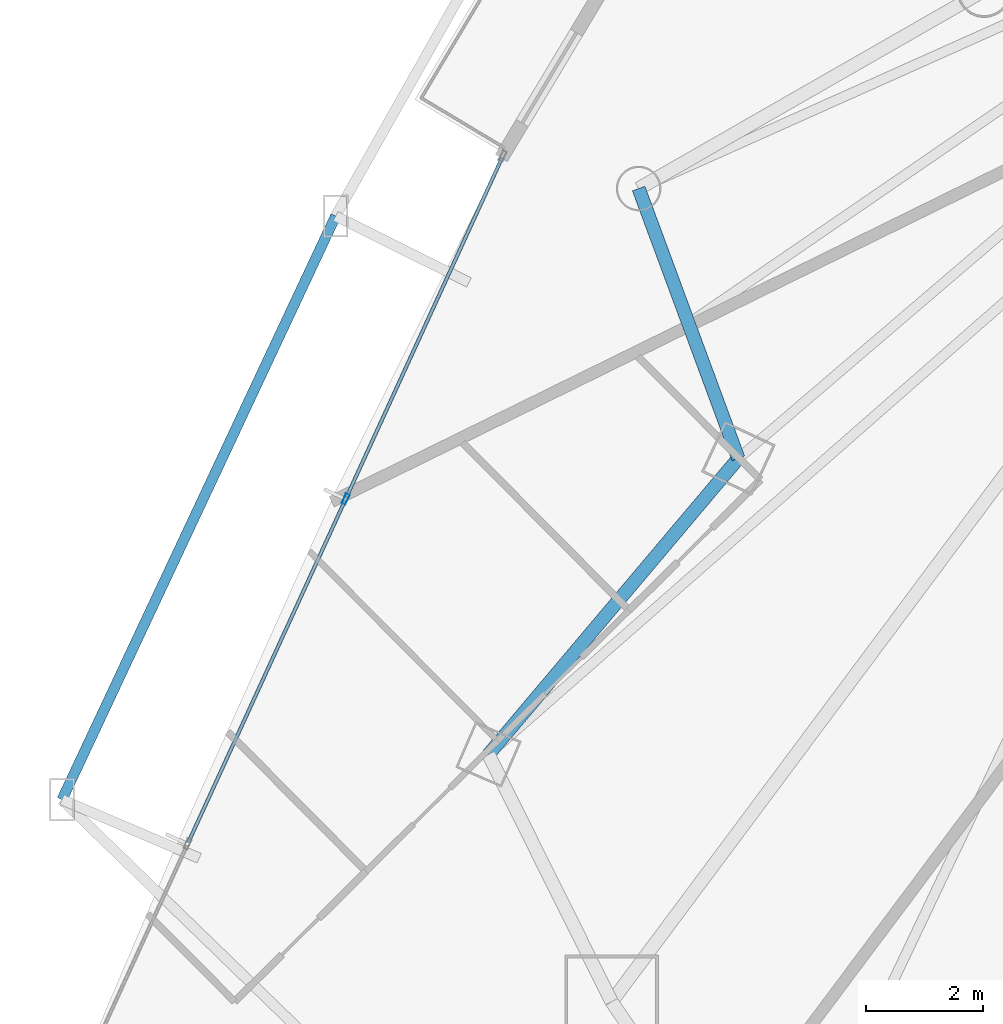
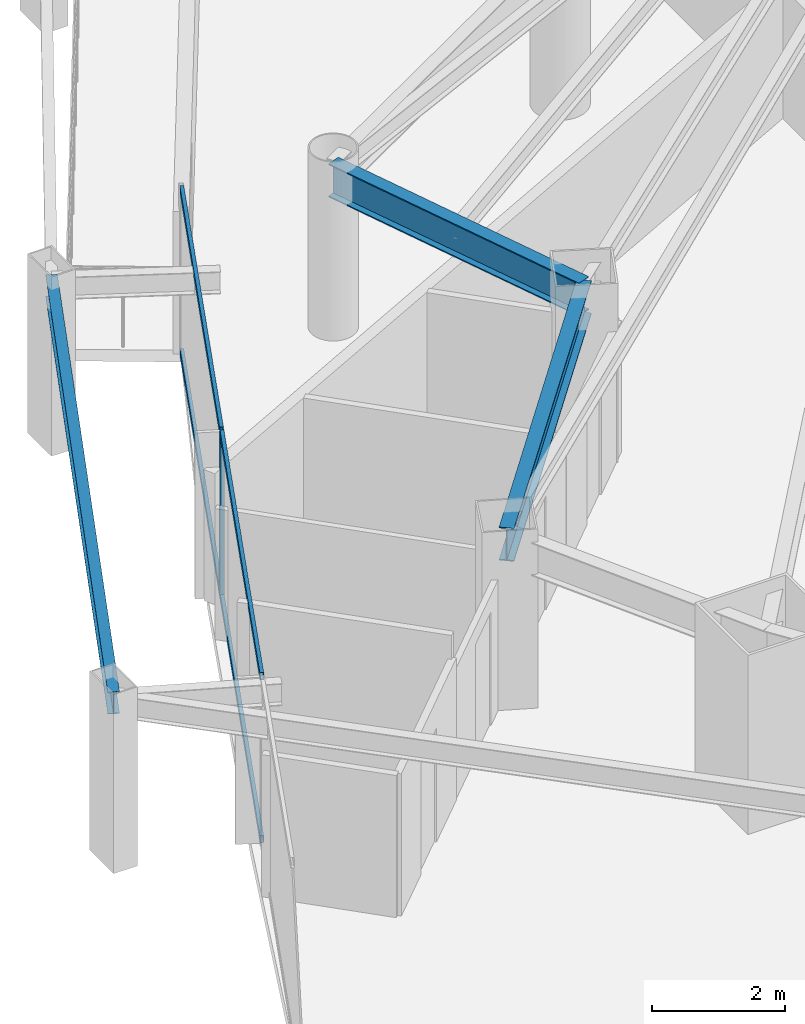
# One storey, part 8 of 35: 5 members, 3 beams, 1 element without a shape of its own.
"""IFC4 building model written with IfcOpenShell, lengths in metres."""

from ifc_helpers import new_model, si_unit, direction, frame, origin, origin_2d, place, context, subcontext, project, spatial, hollow_rectangle, i_section, extrude, material, layer, layer_set, material_profile, profile_set, type_object, element, aggregate, save


model = new_model("IFC4")

# Units and contexts
model_context = context("Model", 3, precision=1e-05, world=origin(), true_north=direction((0.0, 1.0)))
body_context = subcontext(model_context, "Body", "Model", "MODEL_VIEW")
ifc_project = project(units=[si_unit("LENGTHUNIT", "METRE"), si_unit("AREAUNIT", "SQUARE_METRE"), si_unit("VOLUMEUNIT", "CUBIC_METRE"), si_unit("PLANEANGLEUNIT", "RADIAN"), si_unit("MASSUNIT", "GRAM", prefix="KILO")], contexts=[model_context])

# Site, building, storey
site_placement = place(None, origin())
site = spatial("IfcSite", under=ifc_project, at=site_placement, CompositionType="ELEMENT")
building_placement = place(site_placement, origin())
building = spatial("IfcBuilding", under=site, at=building_placement, Name="Orvanel Arch Residences", CompositionType="ELEMENT")
storey_placement = place(building_placement, frame((0.0, 0.0, 36.800048828125)))
storey = spatial("IfcBuildingStorey", under=building, at=storey_placement, Name="L09", CompositionType="ELEMENT", Elevation=36.800048828125)

# Curtain wall, member
ifc_material_1 = material(Name="Bronze-anodised aluminium AA6063-T6", Category="aluminium")
ifc_layer = layer(ifc_material_1, 0.179931640625)
ifc_layer_set = layer_set([ifc_layer], Name="Bronze-anodised aluminium AA6063-T6")
curtain_wall_type = type_object("IfcCurtainWallType", Name="CW2-LOW-SYS", PredefinedType="NOTDEFINED", material=ifc_layer_set)
curtain_wall_placement = place(storey_placement, origin())
curtain_wall = element("IfcCurtainWall", 1, at=curtain_wall_placement, inside=storey, type_object=curtain_wall_type, Name="L09 CW2-LOW-SYS Unitised Curtain Wall", PredefinedType="NOTDEFINED")
ifc_material_profile_1 = material_profile(ifc_material_1, hollow_rectangle(XDim=0.070068359375, YDim=0.179931640625, WallThickness=0.00439453125, at=origin_2d()), Name="ALU180x70x4.5")
ifc_profile_set_1 = profile_set([ifc_material_profile_1], Name="Bronze-anodised aluminium AA6063-T6")
member_type_1 = type_object("IfcMemberType", Name="MUL-180x70", PredefinedType="MULLION", material=ifc_profile_set_1)
member_1_placement = place(storey_placement, frame((9.651611328125, 18.946044921875, 0.0), z_axis=(0.0, 0.0, 1.0), x_axis=(0.909118333197, -0.416537940944, 0.0)))
member_1 = element("IfcMember", 2, at=member_1_placement, type_object=member_type_1, Name="CW-S2 mullion 2", PredefinedType="MULLION", context=body_context, shape_type="SweptSolid", body=[
    extrude(hollow_rectangle(XDim=0.070068359375, YDim=0.179931640625, WallThickness=0.00439453125, at=origin_2d()), origin(), (0.0, 0.0, 1.0), 3.06005859375),
])

# Beams
ifc_material_2 = material(Name="Structural steel AS/NZS 3679.1 Grade 300 (300 MPa)", Category="steel")
ifc_material_profile_2 = material_profile(ifc_material_2, i_section(OverallWidth=0.177978515625, OverallDepth=0.406005859375, WebThickness=0.0078125, FlangeThickness=0.0126953125, at=origin_2d()), Name="410UB59.7")
ifc_profile_set_2 = profile_set([ifc_material_profile_2], Name="Structural steel AS/NZS 3679.1 Grade 300 (300 MPa)")
beam_type_1 = type_object("IfcBeamType", Name="OB-410UB-EXT", PredefinedType="SPANDREL", material=ifc_profile_set_2)
beam_1_placement = place(storey_placement, frame((9.47998046875, 23.785888671875, 2.85693359375), z_axis=(-0.424462247881, -0.905445636206, 0.0), x_axis=(0.905445636206, -0.424462247881, 0.0)))
element("IfcBeam", 3, at=beam_1_placement, inside=storey, type_object=beam_type_1, Name="L09 Outer Perimeter Floor Ring Beam 03", PredefinedType="SPANDREL", context=body_context, shape_type="SweptSolid", body=[
    extrude(i_section(OverallWidth=0.177978515625, OverallDepth=0.406005859375, WebThickness=0.0078125, FlangeThickness=0.0126953125, at=origin_2d()), origin(), (0.0, 0.0, 1.0), 11.023193359375),
])
ifc_material_profile_3 = material_profile(ifc_material_2, i_section(OverallWidth=0.22900390625, OverallDepth=0.612060546875, WebThickness=0.011962890625, FlangeThickness=0.01953125, at=origin_2d()), Name="610UB125")
ifc_profile_set_3 = profile_set([ifc_material_profile_3], Name="Structural steel AS/NZS 3679.1 Grade 300 (300 MPa)")
beam_type_2 = type_object("IfcBeamType", Name="SP-610UB", PredefinedType="SPANDREL", material=ifc_profile_set_3)
beam_2_placement = place(storey_placement, frame((16.366943359375, 19.64208984375, 2.75390625), z_axis=(-0.644950329775, -0.764224490659, 0.0), x_axis=(0.764224490659, -0.644950329775, 0.0)))
element("IfcBeam", 4, at=beam_2_placement, inside=storey, type_object=beam_type_2, Name="L09 Perimeter Spandrel Beam 01", PredefinedType="SPANDREL", context=body_context, shape_type="SweptSolid", body=[
    extrude(i_section(OverallWidth=0.22900390625, OverallDepth=0.612060546875, WebThickness=0.011962890625, FlangeThickness=0.01953125, at=origin_2d()), origin(), (0.0, 0.0, 1.0), 6.623779296875),
])
beam_3_placement = place(storey_placement, frame((14.662109375, 24.256103515625, 2.75390625), z_axis=(0.346588434017, -0.938017301229, 0.0), x_axis=(0.938017301229, 0.346588434017, 0.0)))
element("IfcBeam", 5, at=beam_3_placement, inside=storey, type_object=beam_type_2, Name="L09 Perimeter Spandrel Beam 22", PredefinedType="SPANDREL", context=body_context, shape_type="SweptSolid", body=[
    extrude(i_section(OverallWidth=0.22900390625, OverallDepth=0.612060546875, WebThickness=0.011962890625, FlangeThickness=0.01953125, at=origin_2d()), origin(), (0.0, 0.0, 1.0), 4.9189453125),
])

# Member
ifc_material_profile_4 = material_profile(ifc_material_1, hollow_rectangle(XDim=0.06005859375, YDim=0.135009765625, WallThickness=0.00390625, at=origin_2d()), Name="ALU135x60x4")
ifc_profile_set_4 = profile_set([ifc_material_profile_4], Name="Bronze-anodised aluminium AA6063-T6")
member_type_2 = type_object("IfcMemberType", Name="TRN-135x60", PredefinedType="USERDEFINED", material=ifc_profile_set_4)
member_2_placement = place(storey_placement, frame((12.324951171875, 24.7802734375, 0.030029296875), z_axis=(-0.416553290639, -0.909111300149, 0.0), x_axis=(0.909111300149, -0.416553290639, 0.0)))
member_2 = element("IfcMember", 6, at=member_2_placement, type_object=member_type_2, Name="CW-S2 transom 1.1", ObjectType="TRANSOM", PredefinedType="USERDEFINED", context=body_context, shape_type="SweptSolid", body=[
    extrude(hollow_rectangle(XDim=0.06005859375, YDim=0.135009765625, WallThickness=0.00390625, at=origin_2d()), origin(), (0.0, 0.0, 1.0), 6.382568359375),
])

member_3_placement = place(storey_placement, frame((12.324951171875, 24.7802734375, 3.030029296875), z_axis=(-0.416553290639, -0.909111300149, 0.0), x_axis=(0.909111300149, -0.416553290639, 0.0)))
member_3 = element("IfcMember", 7, at=member_3_placement, type_object=member_type_2, Name="CW-S2 transom 1.2", ObjectType="TRANSOM", PredefinedType="USERDEFINED", context=body_context, shape_type="SweptSolid", body=[
    extrude(hollow_rectangle(XDim=0.06005859375, YDim=0.135009765625, WallThickness=0.00390625, at=origin_2d()), origin(), (0.0, 0.0, 1.0), 6.382568359375),
])

member_4_placement = place(storey_placement, frame((9.63720703125, 18.9140625, 0.030029296875), z_axis=(-0.416566943027, -0.909105044523, 0.0), x_axis=(0.909105044523, -0.416566943027, 0.0)))
member_4 = element("IfcMember", 8, at=member_4_placement, type_object=member_type_2, Name="CW-S2 transom 2.1", ObjectType="TRANSOM", PredefinedType="USERDEFINED", context=body_context, shape_type="SweptSolid", body=[
    extrude(hollow_rectangle(XDim=0.06005859375, YDim=0.135009765625, WallThickness=0.00390625, at=origin_2d()), origin(), (0.0, 0.0, 1.0), 6.41748046875),
])

member_5_placement = place(storey_placement, frame((9.63720703125, 18.9140625, 3.030029296875), z_axis=(-0.416566943027, -0.909105044523, 0.0), x_axis=(0.909105044523, -0.416566943027, 0.0)))
member_5 = element("IfcMember", 9, at=member_5_placement, type_object=member_type_2, Name="CW-S2 transom 2.2", ObjectType="TRANSOM", PredefinedType="USERDEFINED", context=body_context, shape_type="SweptSolid", body=[
    extrude(hollow_rectangle(XDim=0.06005859375, YDim=0.135009765625, WallThickness=0.00390625, at=origin_2d()), origin(), (0.0, 0.0, 1.0), 6.41748046875),
])

aggregate(curtain_wall, [member_1, member_2, member_3, member_4, member_5])

save(model, "model.ifc")
